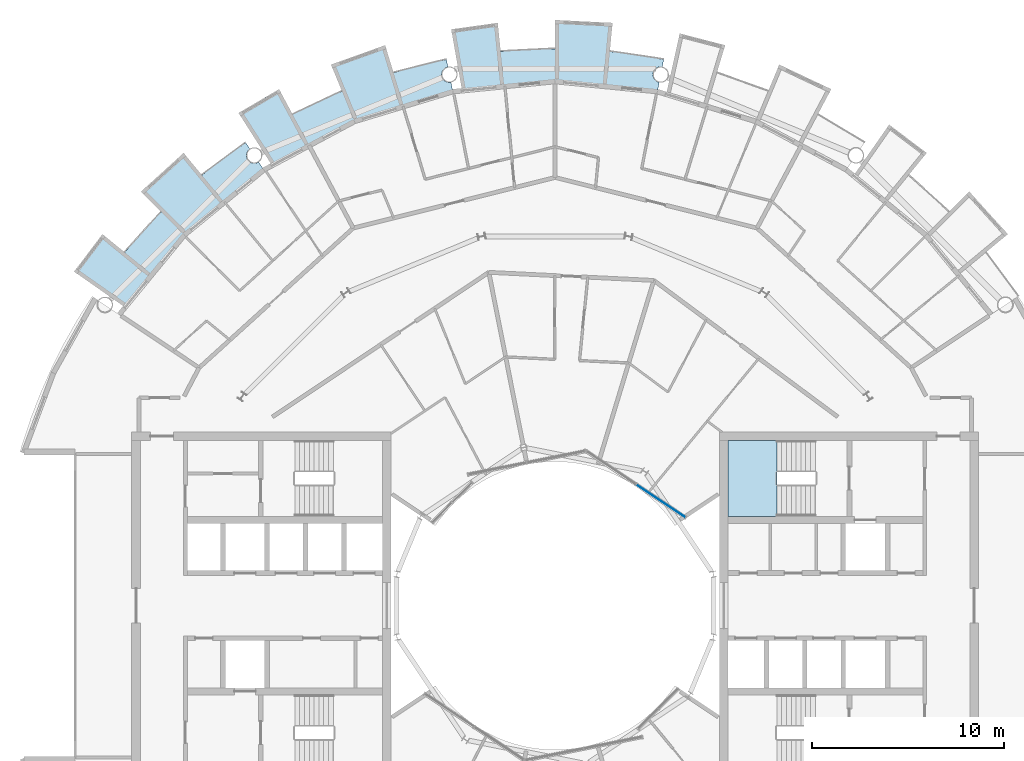
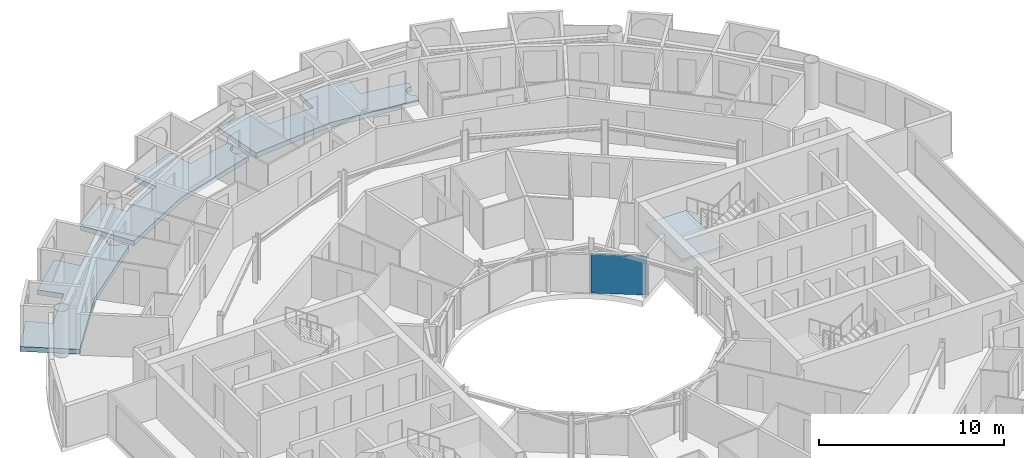
# One storey, part 13 of 29: 4 slabs, 1 plate, 2 elements without a shape of their own.
"""IFC4 building model written with IfcOpenShell, lengths in metres."""

from ifc_helpers import new_model, si_unit, direction, frame, origin, origin_2d, place, context, subcontext, project, spatial, polyline, rectangle, outline, extrude, material, layer, layer_set, type_object, element, aggregate, save


model = new_model("IFC4")

# Units and contexts
model_context = context("Model", 3, precision=1e-05, world=origin(), true_north=direction((0.0, 1.0)))
body_context = subcontext(model_context, "Body", "Model", "MODEL_VIEW")
ifc_project = project(units=[si_unit("LENGTHUNIT", "METRE"), si_unit("AREAUNIT", "SQUARE_METRE"), si_unit("VOLUMEUNIT", "CUBIC_METRE"), si_unit("PLANEANGLEUNIT", "RADIAN"), si_unit("MASSUNIT", "GRAM", prefix="KILO")], contexts=[model_context])

# Site, building, storey
site_placement = place(None, origin())
site = spatial("IfcSite", under=ifc_project, at=site_placement, CompositionType="ELEMENT")
building_placement = place(site_placement, origin())
building = spatial("IfcBuilding", under=site, at=building_placement, Name="Maasbend Ring Residences", CompositionType="ELEMENT")
storey_placement = place(building_placement, frame((0.0, 0.0, 193.25)))
storey = spatial("IfcBuildingStorey", under=building, at=storey_placement, Name="L55", CompositionType="ELEMENT", Elevation=193.25)

# Stair, slab
ifc_material_1 = material(Name="Concrete C40/50", Category="concrete")
stair_type = type_object("IfcStairType", Name="CORE STAIR 18 RISERS", PredefinedType="HALF_TURN_STAIR", material=ifc_material_1)
stair_placement = place(storey_placement, origin())
stair = element("IfcStair", 1, at=stair_placement, inside=storey, type_object=stair_type, Name="L55 Exit stair ST-E1", PredefinedType="HALF_TURN_STAIR")
ifc_material_2 = material(Name="Concrete C40/50", Category="concrete")
ifc_layer_1 = layer(ifc_material_2, 0.199951171875)
ifc_layer_set_1 = layer_set([ifc_layer_1], Name="Concrete C40/50")
slab_type_1 = type_object("IfcSlabType", Name="CORE STAIR LANDING 200", PredefinedType="LANDING", material=ifc_layer_set_1)
slab_1_placement = place(storey_placement, frame((0.0, 0.0, 1.324951171875)))
slab_1 = element("IfcSlab", 2, at=slab_1_placement, type_object=slab_type_1, Name="ST-E1 landing 1", PredefinedType="LANDING", context=body_context, shape_type="SweptSolid", body=[
    extrude(outline(polyline([(11.550048828125, 8.60009765625), (9.0, 8.60009765625), (9.0, 4.64990234375), (11.550048828125, 4.64990234375), (11.550048828125, 8.60009765625)])), origin(), (0.0, 0.0, 1.0), 0.199951171875),
])
aggregate(stair, [slab_1])

# Curtain wall, plate
ifc_material_3 = material(Name="Aluminium and clear glass", Category="aluminium")
ifc_layer_2 = layer(ifc_material_3, 0.179931640625)
ifc_layer_set_2 = layer_set([ifc_layer_2], Name="CW-W")
curtain_wall_type = type_object("IfcCurtainWallType", Name="CW-W", PredefinedType="NOTDEFINED", material=ifc_layer_set_2)
curtain_wall_placement = place(storey_placement, origin())
curtain_wall = element("IfcCurtainWall", 3, at=curtain_wall_placement, inside=storey, type_object=curtain_wall_type, Name="Well curtain wall N1", PredefinedType="NOTDEFINED")
ifc_material_4 = material(Name="Glass clear laminated", Category="glass")
ifc_layer_3 = layer(ifc_material_4, 0.031982421875)
ifc_layer_set_3 = layer_set([ifc_layer_3], Name="CWP-W")
plate_type = type_object("IfcPlateType", Name="CWP-W", PredefinedType="CURTAIN_PANEL", material=ifc_layer_set_3)
plate_placement = place(storey_placement, frame((5.51123046875, 5.44580078125, 0.0), z_axis=(0.0, 0.0, 1.0), x_axis=(-0.831469612303, 0.55557023302, 0.0)))
plate = element("IfcPlate", 4, at=plate_placement, type_object=plate_type, Name="Glass panel well face", PredefinedType="CURTAIN_PANEL", context=body_context, shape_type="SweptSolid", body=[
    extrude(rectangle(XDim=3.053955078125, YDim=0.031982421875, at=origin_2d()), origin(), (0.0, 0.0, 1.0), 2.580078125),
])
aggregate(curtain_wall, [plate])

# Slabs
ifc_material_5 = material(Name="Concrete C40/50", Category="concrete")
ifc_layer_4 = layer(ifc_material_5, 0.199951171875)
ifc_layer_set_4 = layer_set([ifc_layer_4], Name="Concrete C40/50")
slab_type_2 = type_object("IfcSlabType", Name="SL-LOGGIA", PredefinedType="FLOOR", material=ifc_layer_set_4)
slab_2_placement = place(storey_placement, frame((0.0, 0.0, -0.35009765625)))
element("IfcSlab", 5, at=slab_2_placement, inside=storey, type_object=slab_type_2, Name="Loggia floor 2", PredefinedType="FLOOR", context=body_context, shape_type="SweptSolid", body=[
    extrude(outline(polyline([(-13.6708984375, 25.575927734375), (-13.6708984375, 25.575927734375), (-13.6708984375, 25.575927734375), (-13.6708984375, 25.575927734375), (-13.6708984375, 25.575927734375), (-13.6708984375, 25.575927734375), (-13.6708984375, 25.575927734375), (-13.669921875, 25.575927734375), (-13.669921875, 25.575927734375), (-13.669921875, 25.575927734375), (-13.669921875, 25.575927734375), (-13.669921875, 25.575927734375), (-13.669921875, 25.575927734375), (-13.669921875, 25.575927734375), (-13.669921875, 25.575927734375), (-13.669921875, 25.575927734375), (-13.669921875, 25.575927734375), (-12.825927734375, 26.009033203125), (-12.825927734375, 26.009033203125), (-11.968994140625, 26.4150390625), (-11.968994140625, 26.4150390625), (-11.097900390625, 26.7919921875), (-11.097900390625, 26.7919921875), (-11.097900390625, 26.7919921875), (-11.097900390625, 26.7919921875), (-11.097900390625, 26.7919921875), (-11.097900390625, 26.7919921875), (-11.097900390625, 26.7919921875), (-11.097900390625, 26.79296875), (-11.097900390625, 26.79296875), (-11.097900390625, 26.79296875), (-11.097900390625, 26.79296875), (-11.097900390625, 26.79296875), (-11.097900390625, 26.79296875), (-11.097900390625, 26.79296875), (-11.097900390625, 26.79296875), (-11.097900390625, 26.79296875), (-11.097900390625, 26.79296875), (-11.672119140625, 28.177978515625), (-11.672119140625, 28.177978515625), (-11.672119140625, 28.177978515625), (-8.85400390625, 29.18701171875), (-8.85400390625, 29.18701171875), (-8.85400390625, 29.18701171875), (-8.41796875, 27.751953125), (-8.41796875, 27.751953125), (-8.41796875, 27.751953125), (-8.41796875, 27.751953125), (-8.41796875, 27.751953125), (-8.41796875, 27.751953125), (-8.41796875, 27.751953125), (-8.41796875, 27.7509765625), (-8.41796875, 27.7509765625), (-8.41796875, 27.7509765625), (-8.41796875, 27.7509765625), (-8.41796875, 27.7509765625), (-8.41796875, 27.7509765625), (-8.41796875, 27.7509765625), (-8.41796875, 27.7509765625), (-8.41796875, 27.7509765625), (-8.41796875, 27.7509765625), (-7.506103515625, 28.011962890625), (-7.506103515625, 28.011962890625), (-6.5849609375, 28.241943359375), (-6.5849609375, 28.241943359375), (-5.657958984375, 28.443115234375), (-5.657958984375, 28.443115234375), (-5.657958984375, 28.443115234375), (-5.5810546875, 28.056884765625), (-5.591064453125, 28.054931640625), (-5.60009765625, 28.052001953125), (-5.610107421875, 28.050048828125), (-5.6201171875, 28.047119140625), (-5.62890625, 28.0439453125), (-5.637939453125, 28.041015625), (-5.64794921875, 28.037109375), (-5.656982421875, 28.033935546875), (-5.666015625, 28.030029296875), (-5.675048828125, 28.02587890625), (-5.68408203125, 28.02099609375), (-5.693115234375, 28.01708984375), (-5.701904296875, 28.011962890625), (-5.7099609375, 28.007080078125), (-5.718994140625, 28.001953125), (-5.72705078125, 27.99609375), (-5.736083984375, 27.989990234375), (-5.743896484375, 27.985107421875), (-5.751953125, 27.97900390625), (-5.759033203125, 27.971923828125), (-5.76708984375, 27.966064453125), (-5.77392578125, 27.958984375), (-5.781982421875, 27.952880859375), (-5.7890625, 27.946044921875), (-5.7958984375, 27.93798828125), (-5.802978515625, 27.930908203125), (-5.80908203125, 27.924072265625), (-5.81591796875, 27.916015625), (-5.822021484375, 27.907958984375), (-5.827880859375, 27.89990234375), (-5.833984375, 27.89208984375), (-5.839111328125, 27.884033203125), (-5.844970703125, 27.8759765625), (-5.85009765625, 27.866943359375), (-5.85498046875, 27.85791015625), (-5.860107421875, 27.85009765625), (-5.864990234375, 27.841064453125), (-5.868896484375, 27.83203125), (-5.873046875, 27.822998046875), (-5.876953125, 27.81396484375), (-5.881103515625, 27.803955078125), (-5.884033203125, 27.794921875), (-5.886962890625, 27.785888671875), (-5.889892578125, 27.77587890625), (-5.89306640625, 27.76708984375), (-5.89599609375, 27.757080078125), (-5.89794921875, 27.7470703125), (-5.89990234375, 27.737060546875), (-5.902099609375, 27.72802734375), (-5.904052734375, 27.718017578125), (-5.905029296875, 27.7080078125), (-5.906005859375, 27.697998046875), (-5.906982421875, 27.68798828125), (-5.907958984375, 27.677978515625), (-5.907958984375, 27.66796875), (-5.907958984375, 27.657958984375), (-5.907958984375, 27.64794921875), (-5.907958984375, 27.637939453125), (-5.906982421875, 27.6279296875), (-5.906005859375, 27.617919921875), (-5.905029296875, 27.60791015625), (-5.904052734375, 27.597900390625), (-5.902099609375, 27.589111328125), (-5.89990234375, 27.5791015625), (-5.89794921875, 27.569091796875), (-5.89599609375, 27.55908203125), (-5.89306640625, 27.550048828125), (-5.889892578125, 27.5400390625), (-5.886962890625, 27.531005859375), (-5.884033203125, 27.52099609375), (-5.881103515625, 27.511962890625), (-5.876953125, 27.5029296875), (-5.873046875, 27.492919921875), (-5.868896484375, 27.48388671875), (-5.864990234375, 27.47509765625), (-5.860107421875, 27.466064453125), (-5.85498046875, 27.4580078125), (-5.85009765625, 27.448974609375), (-5.844970703125, 27.44091796875), (-5.839111328125, 27.431884765625), (-5.833984375, 27.424072265625), (-5.827880859375, 27.416015625), (-5.822021484375, 27.407958984375), (-5.81591796875, 27.39990234375), (-5.80908203125, 27.39306640625), (-5.802978515625, 27.385009765625), (-5.7958984375, 27.3779296875), (-5.7890625, 27.37109375), (-5.781982421875, 27.364013671875), (-5.77392578125, 27.35693359375), (-5.76708984375, 27.35009765625), (-5.759033203125, 27.343994140625), (-5.751953125, 27.337890625), (-5.743896484375, 27.33203125), (-5.736083984375, 27.325927734375), (-5.72705078125, 27.320068359375), (-5.718994140625, 27.31494140625), (-5.7099609375, 27.30908203125), (-5.701904296875, 27.303955078125), (-5.693115234375, 27.300048828125), (-5.68408203125, 27.294921875), (-5.675048828125, 27.291015625), (-5.666015625, 27.285888671875), (-5.656982421875, 27.282958984375), (-5.64794921875, 27.279052734375), (-5.637939453125, 27.27490234375), (-5.62890625, 27.27197265625), (-5.6201171875, 27.26904296875), (-5.610107421875, 27.26611328125), (-5.60009765625, 27.263916015625), (-5.591064453125, 27.260986328125), (-5.5810546875, 27.259033203125), (-5.571044921875, 27.258056640625), (-5.56103515625, 27.256103515625), (-5.551025390625, 27.2548828125), (-5.541015625, 27.25390625), (-5.531005859375, 27.2529296875), (-5.52099609375, 27.251953125), (-5.510986328125, 27.251953125), (-5.501953125, 27.251953125), (-5.491943359375, 27.251953125), (-5.48193359375, 27.251953125), (-5.471923828125, 27.2529296875), (-5.4619140625, 27.25390625), (-5.451904296875, 27.2548828125), (-5.44189453125, 27.256103515625), (-5.431884765625, 27.258056640625), (-5.422119140625, 27.259033203125), (-5.325927734375, 26.77490234375), (-5.325927734375, 26.77490234375), (-5.325927734375, 26.77490234375), (-7.886962890625, 25.9990234375), (-10.447021484375, 25.221923828125), (-10.447021484375, 25.221923828125), (-10.447021484375, 25.221923828125), (-12.806884765625, 23.9609375), (-14.73291015625, 22.930908203125), (-14.73291015625, 22.930908203125), (-14.73291015625, 22.930908203125), (-16.487060546875, 25.659912109375), (-16.487060546875, 25.659912109375), (-16.487060546875, 25.659912109375), (-14.3779296875, 26.89892578125), (-14.3779296875, 26.89892578125), (-14.3779296875, 26.89892578125), (-13.6708984375, 25.575927734375)])), origin(), (0.0, 0.0, 1.0), 0.320068359375),
])
slab_3_placement = place(storey_placement, frame((0.0, 0.0, -0.35009765625)))
element("IfcSlab", 6, at=slab_3_placement, inside=storey, type_object=slab_type_2, Name="Loggia floor 3", PredefinedType="FLOOR", context=body_context, shape_type="SweptSolid", body=[
    extrude(outline(polyline([(-2.843017578125, 28.861083984375), (-2.843017578125, 28.861083984375), (-2.843017578125, 28.861083984375), (-2.843017578125, 28.861083984375), (-2.842041015625, 28.861083984375), (-2.842041015625, 28.861083984375), (-2.842041015625, 28.861083984375), (-2.842041015625, 28.861083984375), (-2.842041015625, 28.861083984375), (-2.842041015625, 28.860107421875), (-2.842041015625, 28.860107421875), (-2.842041015625, 28.860107421875), (-2.842041015625, 28.860107421875), (-2.842041015625, 28.860107421875), (-2.842041015625, 28.860107421875), (-2.842041015625, 28.860107421875), (-2.842041015625, 28.860107421875), (-1.89697265625, 28.93798828125), (-1.89697265625, 28.93798828125), (-0.948974609375, 28.98388671875), (-0.948974609375, 28.98388671875), (0.0, 29.0), (0.0, 29.0), (0.0, 29.0), (0.0, 29.0), (0.0, 29.0), (0.0, 29.0), (0.0, 29.0), (0.0, 29.0), (0.0, 29.0), (0.0, 29.0), (0.0, 29.0), (0.0, 29.0), (0.0, 29.0), (0.0, 29.0), (0.0, 29.0), (0.0, 29.0), (0.0, 29.0), (0.0, 30.5), (0.0, 30.5), (0.0, 30.5), (2.989990234375, 30.35302734375), (2.989990234375, 30.35302734375), (2.989990234375, 30.35302734375), (2.843017578125, 28.861083984375), (2.843017578125, 28.861083984375), (2.843017578125, 28.861083984375), (2.843017578125, 28.861083984375), (2.843017578125, 28.861083984375), (2.843017578125, 28.861083984375), (2.843017578125, 28.861083984375), (2.843017578125, 28.861083984375), (2.843017578125, 28.860107421875), (2.843017578125, 28.860107421875), (2.843017578125, 28.860107421875), (2.843017578125, 28.860107421875), (2.843017578125, 28.860107421875), (2.843017578125, 28.860107421875), (2.843017578125, 28.860107421875), (2.843017578125, 28.860107421875), (2.843017578125, 28.860107421875), (3.784912109375, 28.751953125), (3.784912109375, 28.751953125), (4.72412109375, 28.613037109375), (4.72412109375, 28.613037109375), (5.657958984375, 28.443115234375), (5.657958984375, 28.443115234375), (5.657958984375, 28.443115234375), (5.5810546875, 28.056884765625), (5.5810546875, 28.056884765625), (5.571044921875, 28.05908203125), (5.56103515625, 28.06005859375), (5.551025390625, 28.06201171875), (5.541015625, 28.06298828125), (5.531005859375, 28.06298828125), (5.52099609375, 28.06396484375), (5.510986328125, 28.06396484375), (5.501953125, 28.06494140625), (5.491943359375, 28.06396484375), (5.48193359375, 28.06396484375), (5.471923828125, 28.06298828125), (5.4619140625, 28.06298828125), (5.451904296875, 28.06201171875), (5.44189453125, 28.06005859375), (5.431884765625, 28.05908203125), (5.422119140625, 28.056884765625), (5.412109375, 28.054931640625), (5.403076171875, 28.052001953125), (5.39306640625, 28.050048828125), (5.383056640625, 28.047119140625), (5.3740234375, 28.0439453125), (5.364990234375, 28.041015625), (5.35498046875, 28.037109375), (5.345947265625, 28.033935546875), (5.3369140625, 28.030029296875), (5.327880859375, 28.02587890625), (5.319091796875, 28.02099609375), (5.31005859375, 28.01708984375), (5.301025390625, 28.011962890625), (5.29296875, 28.007080078125), (5.283935546875, 28.001953125), (5.27587890625, 27.99609375), (5.26708984375, 27.989990234375), (5.259033203125, 27.985107421875), (5.2509765625, 27.97900390625), (5.243896484375, 27.971923828125), (5.236083984375, 27.966064453125), (5.22900390625, 27.958984375), (5.220947265625, 27.952880859375), (5.214111328125, 27.946044921875), (5.20703125, 27.93798828125), (5.199951171875, 27.930908203125), (5.194091796875, 27.924072265625), (5.18701171875, 27.916015625), (5.180908203125, 27.907958984375), (5.175048828125, 27.89990234375), (5.1689453125, 27.89208984375), (5.1640625, 27.884033203125), (5.157958984375, 27.8759765625), (5.153076171875, 27.866943359375), (5.14794921875, 27.85791015625), (5.14306640625, 27.85009765625), (5.137939453125, 27.841064453125), (5.134033203125, 27.83203125), (5.1298828125, 27.822998046875), (5.1259765625, 27.81396484375), (5.1220703125, 27.803955078125), (5.118896484375, 27.794921875), (5.115966796875, 27.785888671875), (5.113037109375, 27.77587890625), (5.110107421875, 27.76708984375), (5.10693359375, 27.757080078125), (5.10498046875, 27.7470703125), (5.10302734375, 27.737060546875), (5.10107421875, 27.72802734375), (5.09912109375, 27.718017578125), (5.097900390625, 27.7080078125), (5.096923828125, 27.697998046875), (5.095947265625, 27.68798828125), (5.094970703125, 27.677978515625), (5.094970703125, 27.66796875), (5.094970703125, 27.657958984375), (5.094970703125, 27.64794921875), (5.094970703125, 27.637939453125), (5.095947265625, 27.6279296875), (5.096923828125, 27.617919921875), (5.097900390625, 27.60791015625), (5.09912109375, 27.597900390625), (5.10107421875, 27.589111328125), (5.10302734375, 27.5791015625), (5.10498046875, 27.569091796875), (5.10693359375, 27.55908203125), (5.110107421875, 27.550048828125), (5.113037109375, 27.5400390625), (5.115966796875, 27.531005859375), (5.118896484375, 27.52099609375), (5.1220703125, 27.511962890625), (5.1259765625, 27.5029296875), (5.1298828125, 27.492919921875), (5.134033203125, 27.48388671875), (5.137939453125, 27.47509765625), (5.14306640625, 27.466064453125), (5.14794921875, 27.4580078125), (5.153076171875, 27.448974609375), (5.157958984375, 27.44091796875), (5.1640625, 27.431884765625), (5.1689453125, 27.424072265625), (5.175048828125, 27.416015625), (5.180908203125, 27.407958984375), (5.18701171875, 27.39990234375), (5.194091796875, 27.39306640625), (5.199951171875, 27.385009765625), (5.20703125, 27.3779296875), (5.214111328125, 27.37109375), (5.220947265625, 27.364013671875), (5.22900390625, 27.35693359375), (5.236083984375, 27.35009765625), (5.243896484375, 27.343994140625), (5.2509765625, 27.337890625), (5.259033203125, 27.33203125), (5.26708984375, 27.325927734375), (5.27587890625, 27.320068359375), (5.283935546875, 27.31494140625), (5.29296875, 27.30908203125), (5.301025390625, 27.303955078125), (5.31005859375, 27.300048828125), (5.319091796875, 27.294921875), (5.327880859375, 27.291015625), (5.3369140625, 27.285888671875), (5.345947265625, 27.282958984375), (5.35498046875, 27.279052734375), (5.364990234375, 27.27490234375), (5.3740234375, 27.27197265625), (5.383056640625, 27.26904296875), (5.39306640625, 27.26611328125), (5.403076171875, 27.263916015625), (5.412109375, 27.260986328125), (5.422119140625, 27.259033203125), (5.422119140625, 27.259033203125), (5.325927734375, 26.77490234375), (5.325927734375, 26.77490234375), (5.325927734375, 26.77490234375), (2.6630859375, 27.0380859375), (0.0, 27.300048828125), (0.0, 27.300048828125), (0.0, 27.300048828125), (-2.6630859375, 27.0380859375), (-4.8359375, 26.823974609375), (-4.8359375, 26.823974609375), (-4.8359375, 26.823974609375), (-5.412109375, 30.01611328125), (-5.412109375, 30.01611328125), (-5.412109375, 30.01611328125), (-2.989990234375, 30.35302734375), (-2.989990234375, 30.35302734375), (-2.989990234375, 30.35302734375), (-2.843017578125, 28.861083984375)])), origin(), (0.0, 0.0, 1.0), 0.320068359375),
])
slab_4_placement = place(storey_placement, frame((0.0, 0.0, -0.35009765625)))
element("IfcSlab", 7, at=slab_4_placement, inside=storey, type_object=slab_type_2, Name="Loggia floor 5", PredefinedType="FLOOR", context=body_context, shape_type="SweptSolid", body=[
    extrude(outline(polyline([(-22.41796875, 18.39794921875), (-22.41796875, 18.39794921875), (-22.41796875, 18.39794921875), (-22.41796875, 18.39794921875), (-22.41796875, 18.39794921875), (-22.4169921875, 18.39794921875), (-22.4169921875, 18.39794921875), (-22.4169921875, 18.39794921875), (-22.4169921875, 18.39794921875), (-22.4169921875, 18.39794921875), (-22.4169921875, 18.39794921875), (-22.4169921875, 18.39794921875), (-22.4169921875, 18.39794921875), (-22.4169921875, 18.39794921875), (-22.4169921875, 18.39794921875), (-22.4169921875, 18.39794921875), (-22.4169921875, 18.39794921875), (-21.802978515625, 19.12109375), (-21.802978515625, 19.12109375), (-21.166015625, 19.823974609375), (-21.166015625, 19.823974609375), (-20.506103515625, 20.506103515625), (-20.506103515625, 20.506103515625), (-20.506103515625, 20.506103515625), (-20.506103515625, 20.506103515625), (-20.506103515625, 20.506103515625), (-20.506103515625, 20.506103515625), (-20.506103515625, 20.506103515625), (-20.506103515625, 20.506103515625), (-20.506103515625, 20.506103515625), (-20.506103515625, 20.506103515625), (-20.506103515625, 20.506103515625), (-20.506103515625, 20.506103515625), (-20.506103515625, 20.506103515625), (-20.506103515625, 20.506103515625), (-20.506103515625, 20.506103515625), (-20.506103515625, 20.506103515625), (-20.506103515625, 20.506103515625), (-21.56689453125, 21.56689453125), (-21.56689453125, 21.56689453125), (-21.56689453125, 21.56689453125), (-19.34912109375, 23.576904296875), (-19.34912109375, 23.576904296875), (-19.34912109375, 23.576904296875), (-18.39794921875, 22.41796875), (-18.39794921875, 22.41796875), (-18.39794921875, 22.41796875), (-18.39794921875, 22.41796875), (-18.39794921875, 22.41796875), (-18.39794921875, 22.41796875), (-18.39697265625, 22.41796875), (-18.39697265625, 22.41796875), (-18.39697265625, 22.41796875), (-18.39697265625, 22.41796875), (-18.39697265625, 22.41796875), (-18.39697265625, 22.41796875), (-18.39697265625, 22.41796875), (-18.39697265625, 22.41796875), (-18.39697265625, 22.41796875), (-18.39697265625, 22.41796875), (-18.39697265625, 22.41796875), (-17.654052734375, 23.007080078125), (-17.654052734375, 23.007080078125), (-16.89208984375, 23.572998046875), (-16.89208984375, 23.572998046875), (-16.112060546875, 24.113037109375), (-16.112060546875, 24.113037109375), (-16.112060546875, 24.113037109375), (-15.89306640625, 23.784912109375), (-15.89306640625, 23.784912109375), (-15.90087890625, 23.780029296875), (-15.908935546875, 23.77392578125), (-15.9169921875, 23.76806640625), (-15.925048828125, 23.761962890625), (-15.93310546875, 23.7548828125), (-15.93994140625, 23.7490234375), (-15.947021484375, 23.741943359375), (-15.955078125, 23.735107421875), (-15.9619140625, 23.72802734375), (-15.968017578125, 23.719970703125), (-15.97509765625, 23.712890625), (-15.98095703125, 23.705078125), (-15.988037109375, 23.697021484375), (-15.993896484375, 23.68994140625), (-15.9990234375, 23.680908203125), (-16.0048828125, 23.673095703125), (-16.010986328125, 23.6650390625), (-16.01611328125, 23.656005859375), (-16.02099609375, 23.64794921875), (-16.02587890625, 23.638916015625), (-16.030029296875, 23.6298828125), (-16.034912109375, 23.62109375), (-16.0390625, 23.612060546875), (-16.04296875, 23.60302734375), (-16.0458984375, 23.593994140625), (-16.050048828125, 23.583984375), (-16.052978515625, 23.574951171875), (-16.055908203125, 23.56494140625), (-16.05908203125, 23.555908203125), (-16.06103515625, 23.5458984375), (-16.06396484375, 23.535888671875), (-16.06591796875, 23.527099609375), (-16.068115234375, 23.51708984375), (-16.069091796875, 23.507080078125), (-16.071044921875, 23.4970703125), (-16.072021484375, 23.487060546875), (-16.072021484375, 23.47705078125), (-16.072998046875, 23.467041015625), (-16.072998046875, 23.45703125), (-16.073974609375, 23.447021484375), (-16.072998046875, 23.43701171875), (-16.072998046875, 23.427001953125), (-16.072021484375, 23.4169921875), (-16.072021484375, 23.407958984375), (-16.071044921875, 23.39794921875), (-16.069091796875, 23.387939453125), (-16.068115234375, 23.3779296875), (-16.06591796875, 23.367919921875), (-16.06396484375, 23.35791015625), (-16.06103515625, 23.34912109375), (-16.05908203125, 23.339111328125), (-16.055908203125, 23.3291015625), (-16.052978515625, 23.320068359375), (-16.050048828125, 23.31005859375), (-16.0458984375, 23.301025390625), (-16.04296875, 23.2919921875), (-16.0390625, 23.282958984375), (-16.034912109375, 23.27392578125), (-16.030029296875, 23.264892578125), (-16.02587890625, 23.256103515625), (-16.02099609375, 23.2470703125), (-16.01611328125, 23.238037109375), (-16.010986328125, 23.22998046875), (-16.0048828125, 23.221923828125), (-15.9990234375, 23.212890625), (-15.993896484375, 23.205078125), (-15.988037109375, 23.197021484375), (-15.98095703125, 23.18994140625), (-15.97509765625, 23.181884765625), (-15.968017578125, 23.174072265625), (-15.9619140625, 23.1669921875), (-15.955078125, 23.159912109375), (-15.947021484375, 23.153076171875), (-15.93994140625, 23.14599609375), (-15.93310546875, 23.139892578125), (-15.925048828125, 23.133056640625), (-15.9169921875, 23.126953125), (-15.908935546875, 23.12109375), (-15.90087890625, 23.114990234375), (-15.89306640625, 23.10888671875), (-15.885009765625, 23.10400390625), (-15.8759765625, 23.09912109375), (-15.866943359375, 23.093994140625), (-15.85888671875, 23.089111328125), (-15.85009765625, 23.083984375), (-15.841064453125, 23.080078125), (-15.83203125, 23.075927734375), (-15.822998046875, 23.072021484375), (-15.81298828125, 23.068115234375), (-15.803955078125, 23.06494140625), (-15.794921875, 23.06103515625), (-15.784912109375, 23.05810546875), (-15.77587890625, 23.055908203125), (-15.76611328125, 23.052978515625), (-15.756103515625, 23.051025390625), (-15.74609375, 23.049072265625), (-15.737060546875, 23.047119140625), (-15.72705078125, 23.044921875), (-15.717041015625, 23.0439453125), (-15.70703125, 23.04296875), (-15.697021484375, 23.0419921875), (-15.68701171875, 23.041015625), (-15.677001953125, 23.041015625), (-15.6669921875, 23.041015625), (-15.656982421875, 23.041015625), (-15.64697265625, 23.041015625), (-15.636962890625, 23.0419921875), (-15.626953125, 23.04296875), (-15.616943359375, 23.0439453125), (-15.60693359375, 23.044921875), (-15.597900390625, 23.047119140625), (-15.587890625, 23.049072265625), (-15.577880859375, 23.051025390625), (-15.568115234375, 23.052978515625), (-15.55908203125, 23.055908203125), (-15.549072265625, 23.05810546875), (-15.5400390625, 23.06103515625), (-15.530029296875, 23.06494140625), (-15.52099609375, 23.068115234375), (-15.511962890625, 23.072021484375), (-15.501953125, 23.075927734375), (-15.492919921875, 23.080078125), (-15.48388671875, 23.083984375), (-15.47509765625, 23.089111328125), (-15.467041015625, 23.093994140625), (-15.4580078125, 23.09912109375), (-15.449951171875, 23.10400390625), (-15.44091796875, 23.10888671875), (-15.44091796875, 23.10888671875), (-15.1669921875, 22.698974609375), (-15.1669921875, 22.698974609375), (-15.1669921875, 22.698974609375), (-17.236083984375, 21.001953125), (-19.303955078125, 19.303955078125), (-19.303955078125, 19.303955078125), (-19.303955078125, 19.303955078125), (-21.001953125, 17.236083984375), (-22.386962890625, 15.547119140625), (-22.386962890625, 15.547119140625), (-22.386962890625, 15.547119140625), (-25.051025390625, 17.39794921875), (-25.051025390625, 17.39794921875), (-25.051025390625, 17.39794921875), (-23.576904296875, 19.34912109375), (-23.576904296875, 19.34912109375), (-23.576904296875, 19.34912109375), (-22.41796875, 18.39794921875)])), origin(), (0.0, 0.0, 1.0), 0.320068359375),
])

save(model, "model.ifc")
